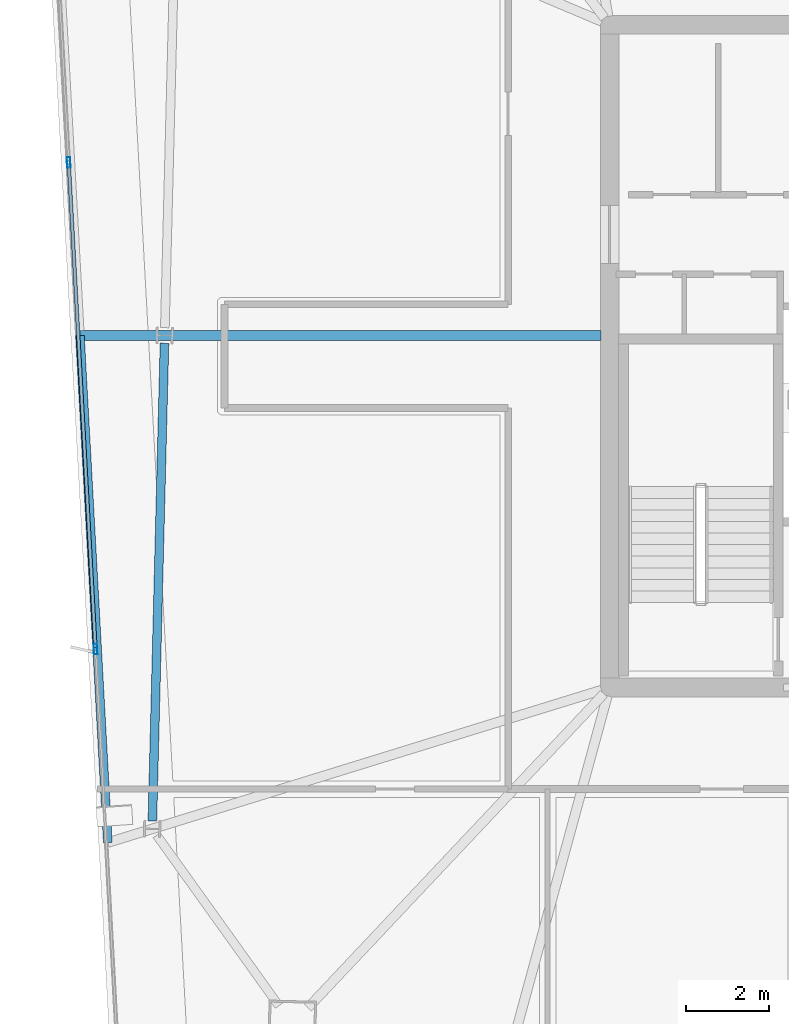
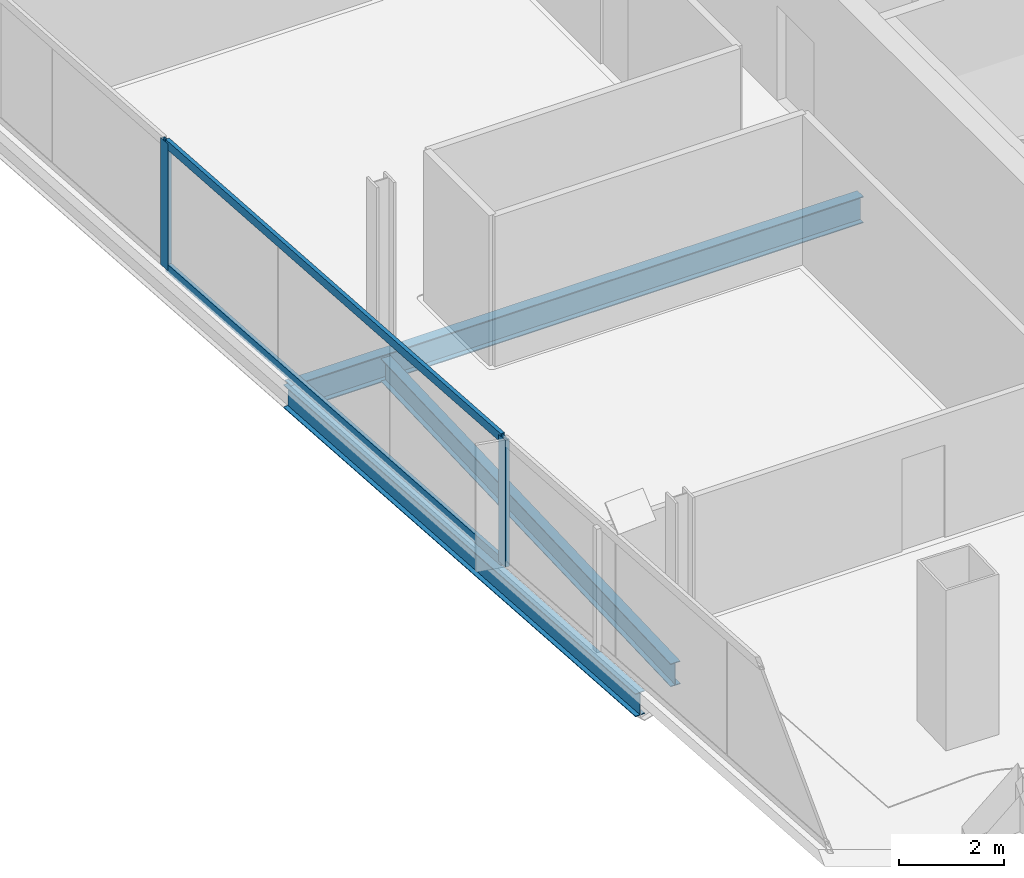
# One storey, part 6 of 23: 4 members, 3 beams, 1 element without a shape of its own.
"""IFC4 building model written with IfcOpenShell, lengths in metres."""

import ifcopenshell
import ifcopenshell.guid

model = None  # the IFC model being written
_history = None  # IfcOwnerHistory: only IFC2X3 demands one
_inside = {}  # id of a spatial element -> (the spatial element, [elements in it])
_under = {}  # id of a project, library or spatial element -> (it, [spatial elements below it])
_declared = {}  # id of a project -> (the project, [libraries it declares])
_typed = {}  # id of a type object -> (the type object, [elements of that type])
_made_of = {}  # id of a material, layer set ... -> (it, [elements and type objects made of it])


def new_model(schema):
    """Start an empty IFC model of exactly this schema.

    Asked for "IFC4X3", IfcOpenShell would pick the latest addendum, in which some entities
    have other attributes; the version numbers below select the first issue.
    IFC2X3 requires an IfcOwnerHistory on every rooted entity: one is made here for all.
    """
    global model, _history
    if schema == "IFC4X3":
        model = ifcopenshell.file(schema_version=(4, 3, 0, 0))
    else:
        model = ifcopenshell.file(schema=schema)
    _inside.clear()
    _under.clear()
    _declared.clear()
    _typed.clear()
    _made_of.clear()
    _history = None
    if model.schema == "IFC2X3":
        org = make("IfcOrganization", Name="unknown")
        user = make(
            "IfcPersonAndOrganization",
            ThePerson=make("IfcPerson", FamilyName="unknown"),
            TheOrganization=org,
        )
        app = make(
            "IfcApplication",
            ApplicationDeveloper=org,
            Version="unknown",
            ApplicationFullName="unknown",
            ApplicationIdentifier="unknown",
        )
        _history = make(
            "IfcOwnerHistory",
            OwningUser=user,
            OwningApplication=app,
            ChangeAction="ADDED",
            CreationDate=0,
        )
    return model


def make(cls, **values):
    """One entity of the class cls with the attributes given. An attribute that is None is left unset."""
    return model.create_entity(
        cls, **{name: value for name, value in values.items() if value is not None}
    )


def rooted(cls, **values):
    """An entity with a GlobalId (a new one), such as an element, a storey or a relation."""
    return make(cls, GlobalId=ifcopenshell.guid.new(), OwnerHistory=_history, **values)


def si_unit(unit_type, name, prefix=None):
    """IfcSIUnit, for example si_unit("LENGTHUNIT", "METRE", prefix="MILLI")."""
    return make("IfcSIUnit", UnitType=unit_type, Prefix=prefix, Name=name)


def assignment(units):
    """IfcUnitAssignment: the units of a project."""
    return None if units is None else make("IfcUnitAssignment", Units=units)


def point(xyz):
    """IfcCartesianPoint."""
    return None if xyz is None else make("IfcCartesianPoint", Coordinates=xyz)


def direction(xyz):
    """IfcDirection."""
    return None if xyz is None else make("IfcDirection", DirectionRatios=xyz)


def frame(location, z_axis=None, x_axis=None):
    """IfcAxis2Placement3D, a coordinate frame: its origin and axes. An axis left out is left unset."""
    return make(
        "IfcAxis2Placement3D",
        Location=point(location),
        Axis=direction(z_axis),
        RefDirection=direction(x_axis),
    )


def frame_2d(location, x_axis=None):
    """IfcAxis2Placement2D, a coordinate frame in the plane: its origin and x axis."""
    return make(
        "IfcAxis2Placement2D", Location=point(location), RefDirection=direction(x_axis)
    )


def origin():
    """The frame at (0, 0, 0) with its axes left unset."""
    return frame((0.0, 0.0, 0.0))


def origin_2d():
    """The frame at (0, 0) in the plane with its x axis left unset."""
    return frame_2d((0.0, 0.0))


def place(relative_to, where):
    """IfcLocalPlacement: puts the frame where relative to a parent placement (None: the world)."""
    return make(
        "IfcLocalPlacement", PlacementRelTo=relative_to, RelativePlacement=where
    )


def context(
    kind, dimensions, precision=None, world=None, true_north=None, identifier=None
):
    """IfcGeometricRepresentationContext, for example the 3D "Model" context."""
    return make(
        "IfcGeometricRepresentationContext",
        ContextIdentifier=identifier,
        ContextType=kind,
        CoordinateSpaceDimension=dimensions,
        Precision=precision,
        WorldCoordinateSystem=world,
        TrueNorth=true_north,
    )


def subcontext(parent, identifier, kind, view, scale=None):
    """IfcGeometricRepresentationSubContext, for example "Body" below "Model"."""
    return make(
        "IfcGeometricRepresentationSubContext",
        ContextIdentifier=identifier,
        ContextType=kind,
        ParentContext=parent,
        TargetScale=scale,
        TargetView=view,
    )


def project(units=None, contexts=None):
    """IfcProject with its units and contexts."""
    return rooted(
        "IfcProject",
        Name="project",
        RepresentationContexts=contexts,
        UnitsInContext=assignment(units),
    )


def spatial(cls, under=None, at=None, **own):
    """A site, building, storey or space (cls), placed at a placement, below another one or the project."""
    s = rooted(cls, ObjectPlacement=at, **own)
    if under is not None:
        _under.setdefault(under.id(), (under, []))[1].append(s)
    return s


def profile(cls, at=None, kind="AREA", **sizes):
    """A parametric profile (cls). Its sizes go by their IFC names, for example OverallWidth=200.0."""
    return make(cls, ProfileType=kind, Position=at, **sizes)


def hollow_rectangle(**sizes):
    """IfcRectangleHollowProfileDef."""
    return profile("IfcRectangleHollowProfileDef", **sizes)


def i_section(**sizes):
    """IfcIShapeProfileDef."""
    return profile("IfcIShapeProfileDef", **sizes)


def extrude(swept, where, along, depth):
    """IfcExtrudedAreaSolid: the profile swept, set in the frame where, extruded along a direction by depth."""
    return make(
        "IfcExtrudedAreaSolid",
        SweptArea=swept,
        Position=where,
        ExtrudedDirection=direction(along),
        Depth=depth,
    )


def shape(context_of_items, identifier, shape_type, items):
    """IfcShapeRepresentation: the items that make up one representation, for example the "Body"."""
    return make(
        "IfcShapeRepresentation",
        ContextOfItems=context_of_items,
        RepresentationIdentifier=identifier,
        RepresentationType=shape_type,
        Items=items,
    )


def material(Name=None, Category=None):
    """IfcMaterial."""
    return make("IfcMaterial", Name=Name, Category=Category)


def material_profile(
    of_material, cross_section, Name=None, Category=None, Priority=None
):
    """IfcMaterialProfile: a cross section and its material."""
    return make(
        "IfcMaterialProfile",
        Name=Name,
        Material=of_material,
        Profile=cross_section,
        Priority=Priority,
        Category=Category,
    )


def profile_set(profiles, Name=None, composite=None):
    """IfcMaterialProfileSet."""
    return make(
        "IfcMaterialProfileSet",
        Name=Name,
        MaterialProfiles=profiles,
        CompositeProfile=composite,
    )


def made_of(thing, what):
    """Note that an element or type object is made of a material, layer set ...; save() writes the relation."""
    if what is not None:
        _made_of.setdefault(what.id(), (what, []))[1].append(thing)
    return thing


def type_object(cls, material=None, **own):
    """A type object (cls), such as IfcWallType, which elements share."""
    return made_of(rooted(cls, **own), material)


def element(
    cls,
    number,
    at=None,
    inside=None,
    cuts=None,
    type_object=None,
    material=None,
    context=None,
    identifier="Body",
    shape_type=None,
    held_by="IfcProductDefinitionShape",
    body=None,
    shapes=None,
    **own,
):
    """One element of the class cls, such as IfcWall. Its Tag is "e" and its number.

    at: its placement. inside: the storey or other place that contains it. cuts: it is an
    opening in that element (IfcRelVoidsElement). A single representation is given by context,
    identifier, shape_type and body (its items); several are given by shapes. held_by: the class
    of the entity that holds the representations. save() writes the other relations.
    """
    e = rooted(cls, Tag="e%d" % number, ObjectPlacement=at, **own)
    if body is not None:
        shapes = [shape(context, identifier, shape_type, body)]
    if shapes is not None:
        e.Representation = make(held_by, Representations=shapes)
    if inside is not None:
        _inside.setdefault(inside.id(), (inside, []))[1].append(e)
    if cuts is not None:
        rooted(
            "IfcRelVoidsElement", RelatingBuildingElement=cuts, RelatedOpeningElement=e
        )
    if type_object is not None:
        _typed.setdefault(type_object.id(), (type_object, []))[1].append(e)
    return made_of(e, material)


def aggregate(whole, parts):
    """IfcRelAggregates: a whole, such as a stair, and the parts it consists of."""
    return rooted("IfcRelAggregates", RelatingObject=whole, RelatedObjects=parts)


def save(model, path):
    """Write the relations noted so far, then the file.

    IfcRelAggregates (storeys below a building ...), IfcRelContainedInSpatialStructure (elements
    in a storey), IfcRelDefinesByType, IfcRelAssociatesMaterial and IfcRelDeclares: one each for
    every whole, place, type object, material and project.
    """
    for whole, parts in _under.values():
        aggregate(whole, parts)
    for where, things in _inside.values():
        rooted(
            "IfcRelContainedInSpatialStructure",
            RelatedElements=things,
            RelatingStructure=where,
        )
    for kind, things in _typed.values():
        rooted("IfcRelDefinesByType", RelatedObjects=things, RelatingType=kind)
    for what, things in _made_of.values():
        rooted("IfcRelAssociatesMaterial", RelatedObjects=things, RelatingMaterial=what)
    for by, libraries in _declared.values():
        rooted("IfcRelDeclares", RelatingContext=by, RelatedDefinitions=libraries)
    model.write(path)


model = new_model("IFC4")

# Units and contexts
model_context = context("Model", 3, precision=1e-05, world=origin(), true_north=direction((0.0, 1.0)))
body_context = subcontext(model_context, "Body", "Model", "MODEL_VIEW")
ifc_project = project(units=[si_unit("LENGTHUNIT", "METRE"), si_unit("AREAUNIT", "SQUARE_METRE"), si_unit("VOLUMEUNIT", "CUBIC_METRE"), si_unit("PLANEANGLEUNIT", "RADIAN"), si_unit("MASSUNIT", "GRAM", prefix="KILO")], contexts=[model_context])

# Site, building, storey
site_placement = place(None, origin())
site = spatial("IfcSite", under=ifc_project, at=site_placement, CompositionType="ELEMENT")
building_placement = place(site_placement, origin())
building = spatial("IfcBuilding", under=site, at=building_placement, Name="Haldenkirk Collegiate Tower", CompositionType="ELEMENT")
storey_placement = place(building_placement, frame((0.0, 0.0, 340.199951171875)))
storey = spatial("IfcBuildingStorey", under=building, at=storey_placement, Name="L86", CompositionType="ELEMENT", Elevation=340.199951171875)

# Beams
ifc_material_1 = material(Name="Steel ASTM A992 Grade 50", Category="steel")
ifc_material_profile_1 = material_profile(ifc_material_1, i_section(OverallWidth=0.22998046875, OverallDepth=0.616943359375, WebThickness=0.01318359375, FlangeThickness=0.022216796875, at=origin_2d()), Name="W24X94")
ifc_profile_set_1 = profile_set([ifc_material_profile_1], Name="Steel ASTM A992 Grade 50")
beam_type_1 = type_object("IfcBeamType", Name="BM-GIRDER-W24X94", PredefinedType="BEAM", material=ifc_profile_set_1)
beam_1_placement = place(storey_placement, frame((14.209716796875, 26.499755859375, -0.568359375), z_axis=(1.0, 0.0, 0.0), x_axis=(0.0, 1.0, 0.0)))
element("IfcBeam", 1, at=beam_1_placement, inside=storey, type_object=beam_type_1, Name="L86 primary floor girder 12", PredefinedType="BEAM", context=body_context, shape_type="SweptSolid", body=[
    extrude(i_section(OverallWidth=0.22998046875, OverallDepth=0.616943359375, WebThickness=0.01318359375, FlangeThickness=0.022216796875, at=origin_2d()), origin(), (0.0, 0.0, 1.0), 12.585205078125),
])
ifc_material_profile_2 = material_profile(ifc_material_1, i_section(OverallWidth=0.2099609375, OverallDepth=0.537109375, WebThickness=0.010986328125, FlangeThickness=0.017333984375, at=origin_2d()), Name="W21X68")
ifc_profile_set_2 = profile_set([ifc_material_profile_2], Name="Steel ASTM A992 Grade 50")
beam_type_2 = type_object("IfcBeamType", Name="BM-SPANDREL-W21X68", PredefinedType="SPANDREL", material=ifc_profile_set_2)
beam_2_placement = place(storey_placement, frame((16.25146484375, 26.31201171875, -0.528564453125), z_axis=(-0.02528078186, -0.999680389959, 0.0), x_axis=(0.999680389959, -0.02528078186, 0.0)))
element("IfcBeam", 2, at=beam_2_placement, inside=storey, type_object=beam_type_2, Name="L86 perimeter spandrel beam 11", PredefinedType="SPANDREL", context=body_context, shape_type="SweptSolid", body=[
    extrude(i_section(OverallWidth=0.2099609375, OverallDepth=0.537109375, WebThickness=0.010986328125, FlangeThickness=0.017333984375, at=origin_2d()), origin(), (0.0, 0.0, 1.0), 11.540283203125),
])
beam_3_placement = place(storey_placement, frame((14.209716796875, 26.499755859375, -0.528564453125), z_axis=(0.05493407245, -0.998489983768, 0.0), x_axis=(0.998489983768, 0.05493407245, 0.0)))
element("IfcBeam", 3, at=beam_3_placement, inside=storey, type_object=beam_type_2, Name="L86 outer facade edge beam 3B", PredefinedType="SPANDREL", context=body_context, shape_type="SweptSolid", body=[
    extrude(i_section(OverallWidth=0.2099609375, OverallDepth=0.537109375, WebThickness=0.010986328125, FlangeThickness=0.017333984375, at=origin_2d()), origin(), (0.0, 0.0, 1.0), 12.26171875),
])

# Curtain wall, members
ifc_material_2 = material(Name="Anodised architectural bronze aluminium", Category="aluminium")
curtain_wall_type = type_object("IfcCurtainWallType", Name="CW-SYS1B-CONVEX-HI", PredefinedType="USERDEFINED", material=ifc_material_2)
curtain_wall_placement = place(storey_placement, origin())
curtain_wall = element("IfcCurtainWall", 4, at=curtain_wall_placement, inside=storey, type_object=curtain_wall_type, Name="L86 Upper tower high-wind convex bronze unitised curtain wall", ObjectType="UNITISED CURTAIN WALL", PredefinedType="USERDEFINED")
ifc_material_profile_3 = material_profile(ifc_material_2, hollow_rectangle(XDim=0.0849609375, YDim=0.25, WallThickness=0.0048828125, at=origin_2d()), Name="CW-MUL-1B")
ifc_profile_set_3 = profile_set([ifc_material_profile_3], Name="Anodised architectural bronze aluminium")
member_type_1 = type_object("IfcMemberType", Name="CW-MUL-1B", PredefinedType="MULLION", material=ifc_profile_set_3)
member_1_placement = place(storey_placement, frame((14.586181640625, 18.92919921875, 0.0), z_axis=(0.0, 0.0, 1.0), x_axis=(-0.998489164704, -0.054948957849, 0.0)))
member_1 = element("IfcMember", 5, at=member_1_placement, type_object=member_type_1, Name="CW-1B mullion 2", PredefinedType="MULLION", context=body_context, shape_type="SweptSolid", body=[
    extrude(hollow_rectangle(XDim=0.0849609375, YDim=0.25, WallThickness=0.0048828125, at=origin_2d()), origin(), (0.0, 0.0, 1.0), 2.947998046875),
])
member_2_placement = place(storey_placement, frame((13.939453125, 30.67822265625, 0.0), z_axis=(0.0, 0.0, 1.0), x_axis=(-0.998489164704, -0.054948957849, 0.0)))
member_2 = element("IfcMember", 6, at=member_2_placement, type_object=member_type_1, Name="CW-1B mullion 3", PredefinedType="MULLION", context=body_context, shape_type="SweptSolid", body=[
    extrude(hollow_rectangle(XDim=0.0849609375, YDim=0.25, WallThickness=0.0048828125, at=origin_2d()), origin(), (0.0, 0.0, 1.0), 2.947998046875),
])
ifc_material_profile_4 = material_profile(ifc_material_2, hollow_rectangle(XDim=0.0849609375, YDim=0.199951171875, WallThickness=0.0048828125, at=origin_2d()), Name="CW-TRN-1B")
ifc_profile_set_4 = profile_set([ifc_material_profile_4], Name="Anodised architectural bronze aluminium")
member_type_2 = type_object("IfcMemberType", Name="CW-TRN-1B", PredefinedType="USERDEFINED", material=ifc_profile_set_4)
member_3_placement = place(storey_placement, frame((14.583740234375, 18.9716796875, 0.04248046875), z_axis=(-0.054944504736, 0.998489409758, 0.0), x_axis=(-0.998489409758, -0.054944504736, 0.0)))
member_3 = element("IfcMember", 7, at=member_3_placement, type_object=member_type_2, Name="CW-1B transom 2.1", ObjectType="TRANSOM", PredefinedType="USERDEFINED", context=body_context, shape_type="SweptSolid", body=[
    extrude(hollow_rectangle(XDim=0.0849609375, YDim=0.199951171875, WallThickness=0.0048828125, at=origin_2d()), origin(), (0.0, 0.0, 1.0), 11.681640625),
])
member_4_placement = place(storey_placement, frame((14.583740234375, 18.9716796875, 2.905517578125), z_axis=(-0.054944504736, 0.998489409758, 0.0), x_axis=(-0.998489409758, -0.054944504736, 0.0)))
member_4 = element("IfcMember", 8, at=member_4_placement, type_object=member_type_2, Name="CW-1B transom 2.2", ObjectType="TRANSOM", PredefinedType="USERDEFINED", context=body_context, shape_type="SweptSolid", body=[
    extrude(hollow_rectangle(XDim=0.0849609375, YDim=0.199951171875, WallThickness=0.0048828125, at=origin_2d()), origin(), (0.0, 0.0, 1.0), 11.681640625),
])
aggregate(curtain_wall, [member_1, member_2, member_3, member_4])

save(model, "model.ifc")
